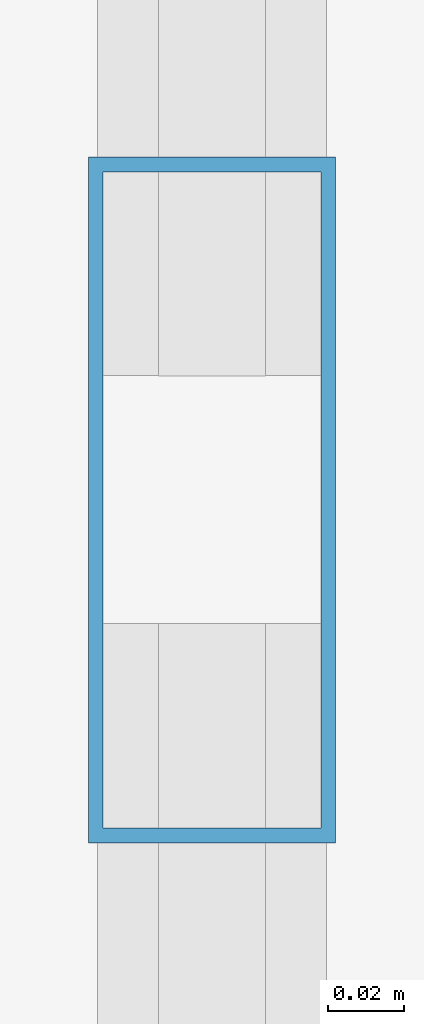
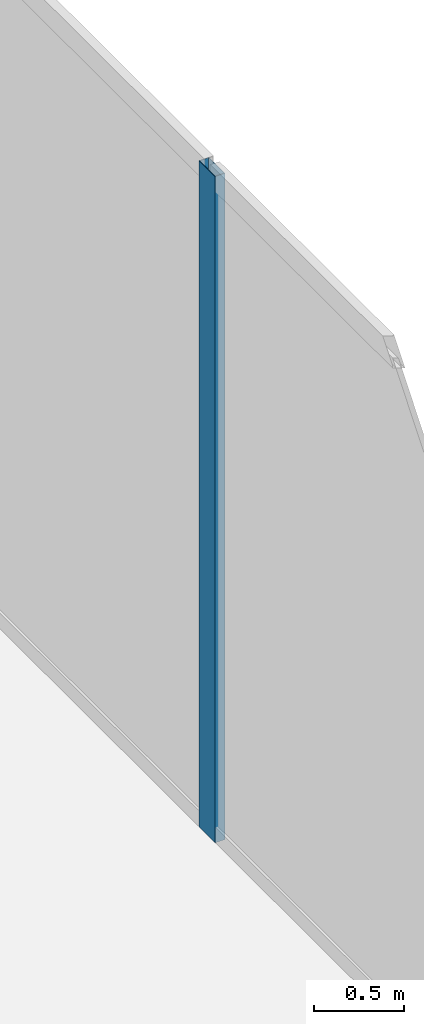
# One storey, part 19 of 58: 1 member, 1 element without a shape of its own.
"""IFC4 building model written with IfcOpenShell, lengths in metres."""

from ifc_helpers import new_model, si_unit, direction, frame, origin, origin_2d, place, context, subcontext, project, spatial, hollow_rectangle, extrude, source, transform, mapped, material, layer, layer_set, material_profile, profile_set, type_object, element, aggregate, save


model = new_model("IFC4")

# Units and contexts
model_context = context("Model", 3, precision=1e-05, world=origin(), true_north=direction((0.0, 1.0)))
body_context = subcontext(model_context, "Body", "Model", "MODEL_VIEW")
ifc_project = project(units=[si_unit("LENGTHUNIT", "METRE"), si_unit("AREAUNIT", "SQUARE_METRE"), si_unit("VOLUMEUNIT", "CUBIC_METRE"), si_unit("PLANEANGLEUNIT", "RADIAN"), si_unit("MASSUNIT", "GRAM", prefix="KILO"), si_unit("THERMODYNAMICTEMPERATUREUNIT", "KELVIN"), si_unit("POWERUNIT", "WATT")], contexts=[model_context])

# Site, building, storey
site_placement = place(None, origin())
site = spatial("IfcSite", under=ifc_project, at=site_placement, CompositionType="ELEMENT")
building_placement = place(site_placement, origin())
building = spatial("IfcBuilding", under=site, at=building_placement, Name="Yunzhuo Pagoda Commons", CompositionType="ELEMENT")
storey_placement = place(building_placement, origin())
storey = spatial("IfcBuildingStorey", under=building, at=storey_placement, Name="L01", CompositionType="ELEMENT", Elevation=0.0)

# Curtain wall, member
ifc_material = material(Name="Anodized aluminium 6063-T6", Category="aluminium")
ifc_layer = layer(ifc_material, 0.179931640625)
ifc_layer_set = layer_set([ifc_layer], Name="Anodized aluminium 6063-T6")
curtain_wall_type = type_object("IfcCurtainWallType", Name="CW-POD Waterfront Podium Curtain Wall", PredefinedType="NOTDEFINED", material=ifc_layer_set)
curtain_wall_placement = place(storey_placement, origin())
curtain_wall = element("IfcCurtainWall", 1, at=curtain_wall_placement, inside=storey, type_object=curtain_wall_type, Name="L01 curtain wall CW-L01-E1", PredefinedType="NOTDEFINED")
ifc_material_profile = material_profile(ifc_material, hollow_rectangle(XDim=0.06494140625, YDim=0.179931640625, WallThickness=0.00390625, at=origin_2d()), Name="Anodized aluminium 6063-T6")
ifc_profile_set = profile_set([ifc_material_profile], Name="Anodized aluminium 6063-T6")
member_type = type_object("IfcMemberType", Name="CW-POD-M Mullion RHS 180x65x4", PredefinedType="MULLION", material=ifc_profile_set)
shared_shape = source(origin(), body_context, "Body", "SweptSolid", [
    extrude(hollow_rectangle(XDim=0.06494140625, YDim=0.179931640625, WallThickness=0.00390625, at=origin_2d()), origin(), (0.0, 0.0, 1.0), 4.520263671875),
])
member_placement = place(storey_placement, frame((91.919921875, 14.39990234375, 0.0), z_axis=(0.0, 0.0, 1.0), x_axis=(-1.0, 0.0, 0.0)))
member = element("IfcMember", 2, at=member_placement, type_object=member_type, Name="CW mullion 2", PredefinedType="MULLION", context=body_context, shape_type="MappedRepresentation", body=[
    mapped(shared_shape, transform((0.0, 0.0, 0.0), scale=1.0)),
])
aggregate(curtain_wall, [member])

save(model, "model.ifc")
